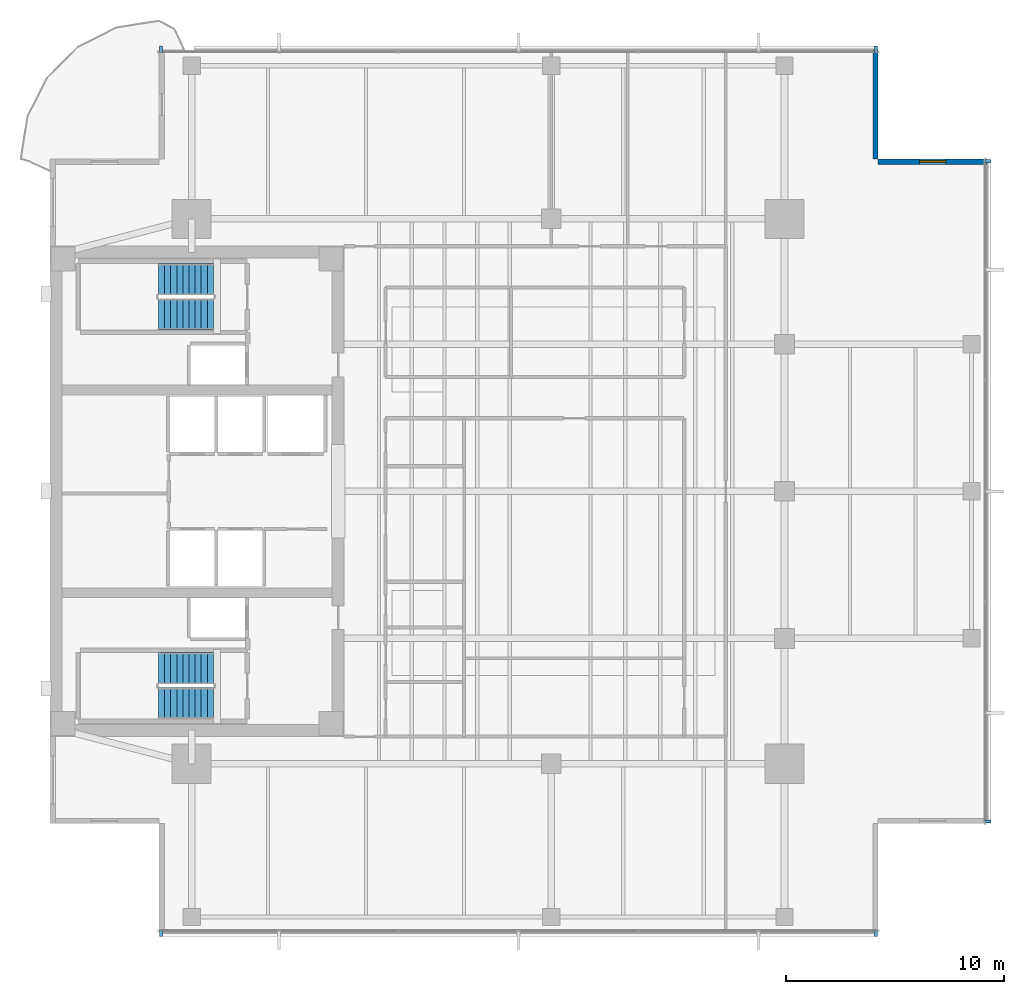
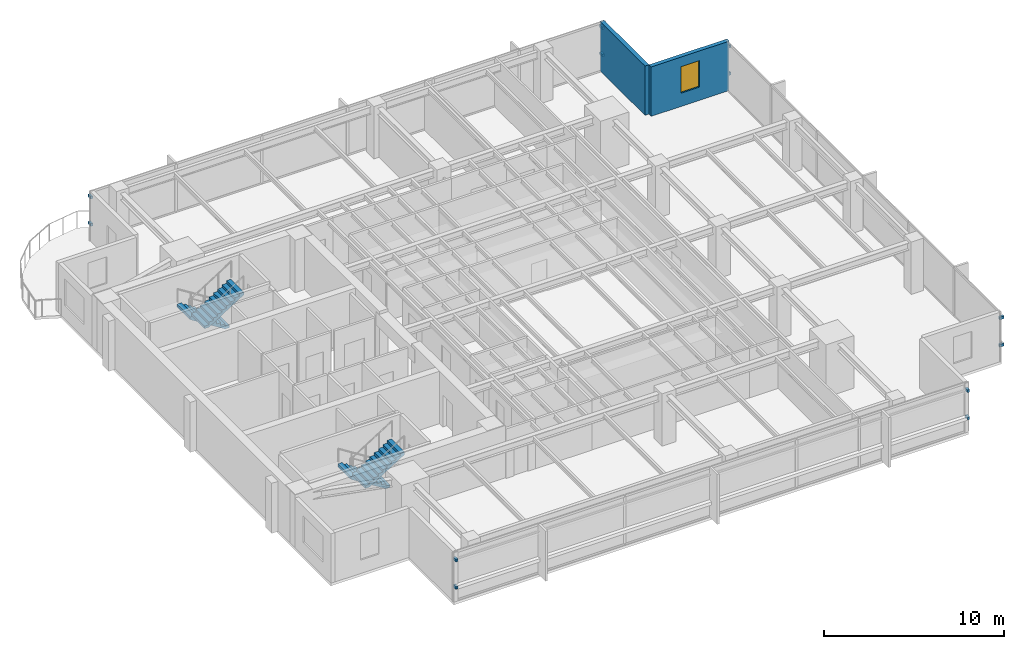
# One storey, part 10 of 15: 12 discrete accessories, 4 stair flights, 2 walls, 1 window, 1 opening, 2 elements without a shape of their own.
"""IFC4 building model written with IfcOpenShell, lengths in metres."""

from ifc_helpers import new_model, si_unit, direction, frame, frame_2d, origin, origin_2d, place, context, subcontext, project, spatial, polyline, rectangle, outline, extrude, material, layer, layer_set, type_object, element, fill, aggregate, save


model = new_model("IFC4")

# Units and contexts
model_context = context("Model", 3, precision=1e-05, world=origin(), true_north=direction((0.0, 1.0)))
body_context = subcontext(model_context, "Body", "Model", "MODEL_VIEW")
ifc_project = project(units=[si_unit("LENGTHUNIT", "METRE"), si_unit("AREAUNIT", "SQUARE_METRE"), si_unit("VOLUMEUNIT", "CUBIC_METRE"), si_unit("PLANEANGLEUNIT", "RADIAN"), si_unit("MASSUNIT", "GRAM", prefix="KILO")], contexts=[model_context])

# Site, building, storey
site_placement = place(None, origin())
site = spatial("IfcSite", under=ifc_project, at=site_placement, CompositionType="ELEMENT")
building_placement = place(site_placement, origin())
building = spatial("IfcBuilding", under=site, at=building_placement, Name="Kinhvarn Gate Tower", CompositionType="ELEMENT")
storey_placement = place(building_placement, frame((0.0, 0.0, 237.75)))
storey = spatial("IfcBuildingStorey", under=building, at=storey_placement, Name="L63", CompositionType="ELEMENT", Elevation=237.75)

# Wall, opening, window
ifc_material_1 = material(Name="Fired architectural terracotta", Category="masonry")
ifc_layer = layer(ifc_material_1, 0.25)
ifc_layer_set = layer_set([ifc_layer], Name="Fired architectural terracotta")
wall_type = type_object("IfcWallType", Name="WL-EXT-250", PredefinedType="SOLIDWALL", material=ifc_layer_set)
wall_1_placement = place(storey_placement, frame((47.5, 40.375, 0.0), z_axis=(0.0, 0.0, 1.0), x_axis=(-1.0, 0.0, 0.0)))
wall_1 = element("IfcWall", 1, at=wall_1_placement, inside=storey, type_object=wall_type, Name="Exterior Solidwall Wall EW-250 (L63 NE-Notch-1)", PredefinedType="SOLIDWALL", context=body_context, shape_type="SweptSolid", body=[
    extrude(rectangle(XDim=5.0, YDim=0.25, at=frame_2d((2.5, 0.0))), origin(), (0.0, 0.0, 1.0), 3.35009765625),
])
opening_placement = place(wall_1_placement, frame((1.89990234375, 0.0, 0.89990234375)))
opening = element("IfcOpeningElement", 2, at=opening_placement, cuts=wall_1, Name="Opening WN-02", PredefinedType="OPENING", context=body_context, shape_type="SweptSolid", body=[
    extrude(rectangle(XDim=1.199951171875, YDim=1.800048828125, at=frame_2d((0.60009765625, 0.89990234375))), frame((0.0, 0.135009765625, 0.0), z_axis=(0.0, -1.0, 0.0), x_axis=(1.0, 0.0, 0.0)), (0.0, 0.0, 1.0), 0.27001953125),
])
ifc_material_2 = material(Name="Clear low-e double glazing", Category="glass")
window_type = type_object("IfcWindowType", Name="WIN-NTC-1200", PartitioningType="SINGLE_PANEL", PredefinedType="WINDOW", material=ifc_material_2)
window_placement = place(opening_placement, origin())
window = element("IfcWindow", 3, at=window_placement, inside=storey, type_object=window_type, Name="Recessed Corner Notch Punched Window 1200x1800 mm (L63)", OverallHeight=1.800048828125, OverallWidth=1.199951171875, PartitioningType="SINGLE_PANEL", PredefinedType="WINDOW", context=body_context, shape_type="SweptSolid", body=[
    extrude(rectangle(XDim=1.199951171875, YDim=1.800048828125, at=frame_2d((0.60009765625, 0.89990234375))), frame((0.0, 0.030029296875, 0.0), z_axis=(0.0, -1.0, 0.0), x_axis=(1.0, 0.0, 0.0)), (0.0, 0.0, 1.0), 0.06005859375),
])
fill(opening, window)

# Wall
wall_2_placement = place(storey_placement, frame((42.375, 40.5, 0.0), z_axis=(0.0, 0.0, 1.0), x_axis=(0.0, 1.0, 0.0)))
element("IfcWall", 4, at=wall_2_placement, inside=storey, type_object=wall_type, Name="Exterior Solidwall Wall EW-250 (L63 NE-Notch-2)", PredefinedType="SOLIDWALL", context=body_context, shape_type="SweptSolid", body=[
    extrude(rectangle(XDim=5.0, YDim=0.25, at=frame_2d((2.5, 0.0))), origin(), (0.0, 0.0, 1.0), 3.35009765625),
])

# Stair, stair flights
ifc_material_3 = material(Name="Concrete C40/50", Category="concrete")
stair_type = type_object("IfcStairType", Name="STR-DLG-178", PredefinedType="HALF_TURN_STAIR", material=ifc_material_3)
stair_1_placement = place(storey_placement, origin())
stair_1 = element("IfcStair", 5, at=stair_1_placement, inside=storey, type_object=stair_type, Name="L63 Core Smokeproof Exit Stair ST1", PredefinedType="HALF_TURN_STAIR")
stair_flight_type = type_object("IfcStairFlightType", Name="STF-DLG-178", PredefinedType="STRAIGHT", material=ifc_material_3)
stair_flight_1_placement = place(storey_placement, frame((12.0, 17.125, 0.0), z_axis=(0.0, 0.0, 1.0), x_axis=(-1.0, 0.0, 0.0)))
stair_flight_1 = element("IfcStairFlight", 6, at=stair_flight_1_placement, type_object=stair_flight_type, Name="ST1 flight 1", NumberOfRisers=10, NumberOfTreads=9, PredefinedType="STRAIGHT", RiserHeight=0.1775, TreadLength=0.28, context=body_context, shape_type="SweptSolid", body=[
    extrude(outline(polyline([(0.0, 0.0), (0.0, 0.177490234375), (0.280029296875, 0.177490234375), (0.280029296875, 0.35498046875), (0.56005859375, 0.35498046875), (0.56005859375, 0.532470703125), (0.840087890625, 0.532470703125), (0.840087890625, 0.7099609375), (1.1201171875, 0.7099609375), (1.1201171875, 0.887451171875), (1.39990234375, 0.887451171875), (1.39990234375, 1.06494140625), (1.679931640625, 1.06494140625), (1.679931640625, 1.242431640625), (1.9599609375, 1.242431640625), (1.9599609375, 1.419921875), (2.239990234375, 1.419921875), (2.239990234375, 1.597412109375), (2.52001953125, 1.597412109375), (2.52001953125, 1.77490234375), (2.52001953125, 1.419921875), (0.280029296875, 0.0), (0.0, 0.0)])), frame((0.0, 0.72509765625, 0.0), z_axis=(0.0, -1.0, 0.0), x_axis=(1.0, 0.0, 0.0)), (0.0, 0.0, 1.0), 1.449951171875),
])
stair_flight_2_placement = place(storey_placement, frame((9.47998046875, 15.52490234375, 1.77490234375), z_axis=(0.0, 0.0, 1.0), x_axis=(1.0, 0.0, 0.0)))
stair_flight_2 = element("IfcStairFlight", 7, at=stair_flight_2_placement, type_object=stair_flight_type, Name="ST1 flight 2", NumberOfRisers=10, NumberOfTreads=9, PredefinedType="STRAIGHT", RiserHeight=0.1775, TreadLength=0.28, context=body_context, shape_type="SweptSolid", body=[
    extrude(outline(polyline([(0.0, 0.0), (0.0, 0.177490234375), (0.280029296875, 0.177490234375), (0.280029296875, 0.35498046875), (0.56005859375, 0.35498046875), (0.56005859375, 0.532470703125), (0.840087890625, 0.532470703125), (0.840087890625, 0.7099609375), (1.1201171875, 0.7099609375), (1.1201171875, 0.887451171875), (1.39990234375, 0.887451171875), (1.39990234375, 1.06494140625), (1.679931640625, 1.06494140625), (1.679931640625, 1.242431640625), (1.9599609375, 1.242431640625), (1.9599609375, 1.419921875), (2.239990234375, 1.419921875), (2.239990234375, 1.597412109375), (2.52001953125, 1.597412109375), (2.52001953125, 1.77490234375), (2.52001953125, 1.419921875), (0.280029296875, 0.0), (0.0, 0.0)])), frame((0.0, 0.72509765625, 0.0), z_axis=(0.0, -1.0, 0.0), x_axis=(1.0, 0.0, 0.0)), (0.0, 0.0, 1.0), 1.449951171875),
])
aggregate(stair_1, [stair_flight_1, stair_flight_2])

stair_2_placement = place(storey_placement, origin())
stair_2 = element("IfcStair", 8, at=stair_2_placement, inside=storey, type_object=stair_type, Name="L63 Core Smokeproof Exit Stair ST2", PredefinedType="HALF_TURN_STAIR")
stair_flight_3_placement = place(storey_placement, frame((12.0, 34.97509765625, 0.0), z_axis=(0.0, 0.0, 1.0), x_axis=(-1.0, 0.0, 0.0)))
stair_flight_3 = element("IfcStairFlight", 9, at=stair_flight_3_placement, type_object=stair_flight_type, Name="ST2 flight 1", NumberOfRisers=10, NumberOfTreads=9, PredefinedType="STRAIGHT", RiserHeight=0.1775, TreadLength=0.28, context=body_context, shape_type="SweptSolid", body=[
    extrude(outline(polyline([(0.0, 0.0), (0.0, 0.177490234375), (0.280029296875, 0.177490234375), (0.280029296875, 0.35498046875), (0.56005859375, 0.35498046875), (0.56005859375, 0.532470703125), (0.840087890625, 0.532470703125), (0.840087890625, 0.7099609375), (1.1201171875, 0.7099609375), (1.1201171875, 0.887451171875), (1.39990234375, 0.887451171875), (1.39990234375, 1.06494140625), (1.679931640625, 1.06494140625), (1.679931640625, 1.242431640625), (1.9599609375, 1.242431640625), (1.9599609375, 1.419921875), (2.239990234375, 1.419921875), (2.239990234375, 1.597412109375), (2.52001953125, 1.597412109375), (2.52001953125, 1.77490234375), (2.52001953125, 1.419921875), (0.280029296875, 0.0), (0.0, 0.0)])), frame((0.0, 0.72509765625, 0.0), z_axis=(0.0, -1.0, 0.0), x_axis=(1.0, 0.0, 0.0)), (0.0, 0.0, 1.0), 1.449951171875),
])
stair_flight_4_placement = place(storey_placement, frame((9.47998046875, 33.375, 1.77490234375), z_axis=(0.0, 0.0, 1.0), x_axis=(1.0, 0.0, 0.0)))
stair_flight_4 = element("IfcStairFlight", 10, at=stair_flight_4_placement, type_object=stair_flight_type, Name="ST2 flight 2", NumberOfRisers=10, NumberOfTreads=9, PredefinedType="STRAIGHT", RiserHeight=0.1775, TreadLength=0.28, context=body_context, shape_type="SweptSolid", body=[
    extrude(outline(polyline([(0.0, 0.0), (0.0, 0.177490234375), (0.280029296875, 0.177490234375), (0.280029296875, 0.35498046875), (0.56005859375, 0.35498046875), (0.56005859375, 0.532470703125), (0.840087890625, 0.532470703125), (0.840087890625, 0.7099609375), (1.1201171875, 0.7099609375), (1.1201171875, 0.887451171875), (1.39990234375, 0.887451171875), (1.39990234375, 1.06494140625), (1.679931640625, 1.06494140625), (1.679931640625, 1.242431640625), (1.9599609375, 1.242431640625), (1.9599609375, 1.419921875), (2.239990234375, 1.419921875), (2.239990234375, 1.597412109375), (2.52001953125, 1.597412109375), (2.52001953125, 1.77490234375), (2.52001953125, 1.419921875), (0.280029296875, 0.0), (0.0, 0.0)])), frame((0.0, 0.72509765625, 0.0), z_axis=(0.0, -1.0, 0.0), x_axis=(1.0, 0.0, 0.0)), (0.0, 0.0, 1.0), 1.449951171875),
])
aggregate(stair_2, [stair_flight_3, stair_flight_4])

# Discrete accessories
ifc_material_4 = material(Name="Anodised aluminium AW-6063", Category="aluminium")
discrete_accessory_type = type_object("IfcDiscreteAccessoryType", Name="ACC-BRK-01", PredefinedType="BRACKET", material=ifc_material_4)
for number, where, z_axis, x_axis, name in (
    (11, (9.60009765625, 4.969970703125, 0.9599609375), (0.0, 0.0, 1.0), (1.0, 0.0, 0.0), "Baguette Support Bracket BK-01 (L63)"),
    (12, (9.60009765625, 4.969970703125, 2.81005859375), (0.0, 0.0, 1.0), (1.0, 0.0, 0.0), "Baguette Support Bracket BK-01 (L63)"),
    (13, (42.39990234375, 4.969970703125, 0.9599609375), (0.0, 0.0, 1.0), (1.0, 0.0, 0.0), "Baguette Support Bracket BK-01 (L63)"),
    (14, (42.39990234375, 4.969970703125, 2.81005859375), (0.0, 0.0, 1.0), (1.0, 0.0, 0.0), "Baguette Support Bracket BK-01 (L63)"),
    (15, (42.39990234375, 45.530029296875, 0.9599609375), (0.0, 0.0, 1.0), (-1.0, 0.0, 0.0), "Baguette Support Bracket BK-01 (L63)"),
    (16, (42.39990234375, 45.530029296875, 2.81005859375), (0.0, 0.0, 1.0), (-1.0, 0.0, 0.0), "Baguette Support Bracket BK-01 (L63)"),
    (17, (9.60009765625, 45.530029296875, 0.9599609375), (0.0, 0.0, 1.0), (-1.0, 0.0, 0.0), "Baguette Support Bracket BK-01 (L63)"),
    (18, (9.60009765625, 45.530029296875, 2.81005859375), (0.0, 0.0, 1.0), (-1.0, 0.0, 0.0), "Baguette Support Bracket BK-01 (L63)"),
    (19, (47.530029296875, 10.10009765625, 0.9599609375), (0.0, 0.0, 1.0), (0.0, 1.0, 0.0), "Baguette Support Bracket BK-01 (L63)"),
    (20, (47.530029296875, 10.10009765625, 2.81005859375), (0.0, 0.0, 1.0), (0.0, 1.0, 0.0), "Baguette Support Bracket BK-01 (L63)"),
    (21, (47.530029296875, 40.39990234375, 0.9599609375), (0.0, 0.0, 1.0), (0.0, 1.0, 0.0), "Baguette Support Bracket BK-01 (L63)"),
    (22, (47.530029296875, 40.39990234375, 2.81005859375), (0.0, 0.0, 1.0), (0.0, 1.0, 0.0), "Baguette Support Bracket BK-01 (L63)"),
):
    element("IfcDiscreteAccessory", number, at=place(storey_placement, frame(where, z_axis=z_axis, x_axis=x_axis)), inside=storey, type_object=discrete_accessory_type, Name=name, PredefinedType="BRACKET", context=body_context, shape_type="SweptSolid", body=[
        extrude(rectangle(XDim=0.139892578125, YDim=0.280029296875, at=origin_2d()), origin(), (0.0, 0.0, 1.0), 0.179931640625),
    ])

save(model, "model.ifc")
